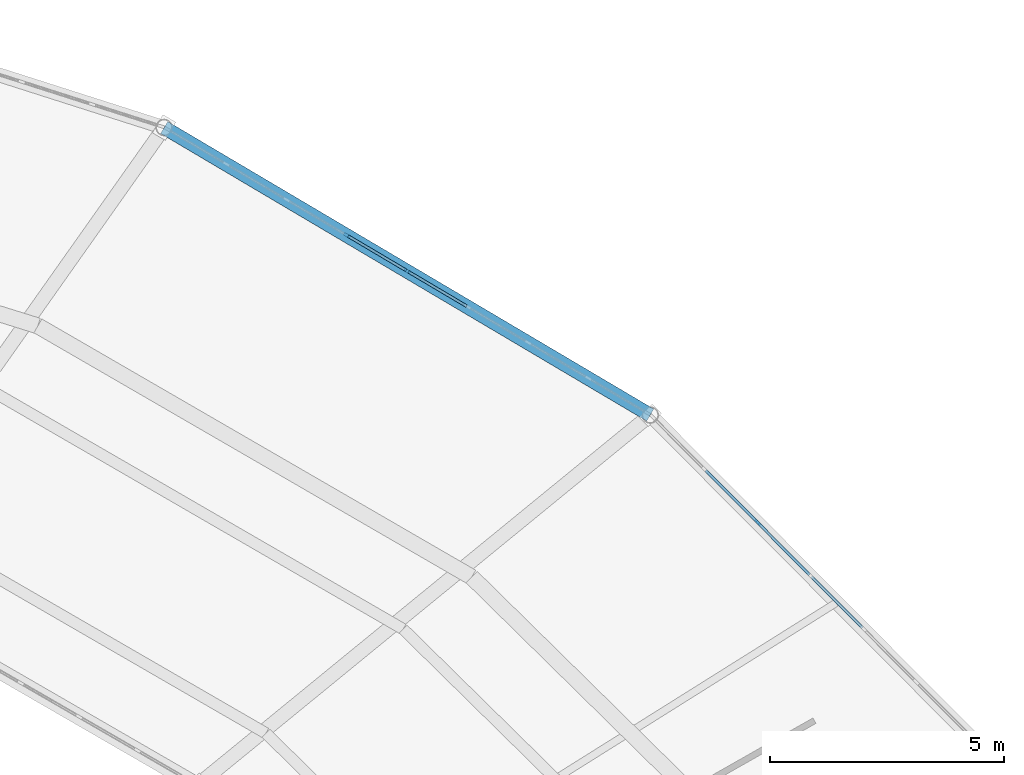
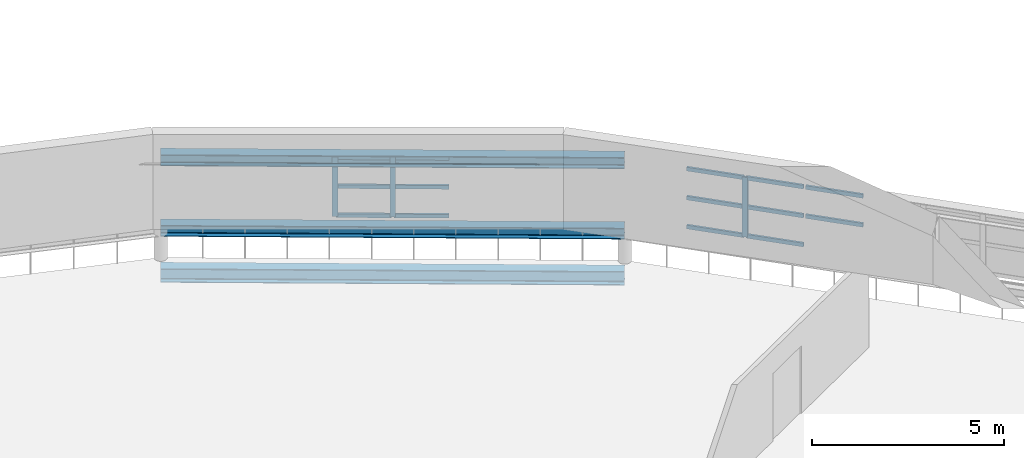
# One storey, part 69 of 123: 17 members, 3 beams, 2 elements without a shape of their own.
"""IFC4 building model written with IfcOpenShell, lengths in metres."""

from ifc_helpers import new_model, si_unit, direction, frame, origin, origin_2d, place, context, subcontext, project, spatial, rectangle, i_section, extrude, material, material_profile, profile_set, type_object, element, aggregate, save


model = new_model("IFC4")

# Units and contexts
model_context = context("Model", 3, precision=1e-05, world=origin(), true_north=direction((0.0, 1.0)))
body_context = subcontext(model_context, "Body", "Model", "MODEL_VIEW")
ifc_project = project(units=[si_unit("LENGTHUNIT", "METRE"), si_unit("AREAUNIT", "SQUARE_METRE"), si_unit("VOLUMEUNIT", "CUBIC_METRE"), si_unit("PLANEANGLEUNIT", "RADIAN"), si_unit("MASSUNIT", "GRAM", prefix="KILO")], contexts=[model_context])

# Site, building, storey
site_placement = place(None, origin())
site = spatial("IfcSite", under=ifc_project, at=site_placement, CompositionType="ELEMENT")
building_placement = place(site_placement, origin())
building = spatial("IfcBuilding", under=site, at=building_placement, Name="Kildeholm Park Wholesale Market", CompositionType="ELEMENT")
storey_placement = place(building_placement, frame((0.0, 0.0, 9.60009765625)))
storey = spatial("IfcBuildingStorey", under=building, at=storey_placement, Name="L02", CompositionType="ELEMENT", Elevation=9.60009765625)

# Beams
ifc_material_1 = material(Name="Steel S355", Category="steel")
ifc_material_profile_1 = material_profile(ifc_material_1, i_section(OverallWidth=0.300048828125, OverallDepth=0.35009765625, WebThickness=0.010009765625, FlangeThickness=0.017578125, FilletRadius=0.027099609375, at=origin_2d()), Name="HEA 360")
ifc_profile_set_1 = profile_set([ifc_material_profile_1], Name="Steel S355")
beam_type_1 = type_object("IfcBeamType", Name="Beam B-R01 HEA 360", PredefinedType="BEAM", material=ifc_profile_set_1)
beam_1_placement = place(storey_placement, frame((134.4970703125, 116.864990234375, 0.946044921875), z_axis=(-0.860700316594, 0.509111937609, 0.0), x_axis=(-0.509111937609, -0.860700316594, 0.0)))
element("IfcBeam", 1, at=beam_1_placement, inside=storey, type_object=beam_type_1, Name="Beam BM-V1-S1IN-03 BM-0239", PredefinedType="BEAM", context=body_context, shape_type="SweptSolid", body=[
    extrude(i_section(OverallWidth=0.300048828125, OverallDepth=0.35009765625, WebThickness=0.010009765625, FlangeThickness=0.017578125, FilletRadius=0.027099609375, at=origin_2d()), origin(), (0.0, 0.0, 1.0), 12.07958984375),
])
ifc_material_profile_2 = material_profile(ifc_material_1, i_section(OverallWidth=0.300048828125, OverallDepth=0.43994140625, WebThickness=0.011474609375, FlangeThickness=0.02099609375, FilletRadius=0.027099609375, at=origin_2d()), Name="HEA 450")
ifc_profile_set_2 = profile_set([ifc_material_profile_2], Name="Steel S355")
beam_type_2 = type_object("IfcBeamType", Name="Beam B-R02 HEA 450", PredefinedType="BEAM", material=ifc_profile_set_2)
beam_2_placement = place(storey_placement, frame((134.4970703125, 116.864990234375, -0.47412109375), z_axis=(-0.860700316594, 0.509111937609, 0.0), x_axis=(-0.509111937609, -0.860700316594, 0.0)))
element("IfcBeam", 2, at=beam_2_placement, inside=storey, type_object=beam_type_2, Name="Beam BM-V1-L02-CM-03 BM-0035", PredefinedType="BEAM", context=body_context, shape_type="SweptSolid", body=[
    extrude(i_section(OverallWidth=0.300048828125, OverallDepth=0.43994140625, WebThickness=0.011474609375, FlangeThickness=0.02099609375, FilletRadius=0.027099609375, at=origin_2d()), origin(), (0.0, 0.0, 1.0), 12.07958984375),
])
ifc_material_profile_3 = material_profile(ifc_material_1, i_section(OverallWidth=0.300048828125, OverallDepth=0.360107421875, WebThickness=0.012451171875, FlangeThickness=0.0224609375, FilletRadius=0.027099609375, at=origin_2d()), Name="HEB 360")
ifc_profile_set_3 = profile_set([ifc_material_profile_3], Name="Steel S355")
beam_type_3 = type_object("IfcBeamType", Name="Beam B-R03 HEB 360", PredefinedType="BEAM", material=ifc_profile_set_3)
beam_3_placement = place(storey_placement, frame((134.4970703125, 116.864990234375, 3.1884765625), z_axis=(-0.860700316594, 0.509111937609, 0.0), x_axis=(-0.509111937609, -0.860700316594, 0.0)))
element("IfcBeam", 3, at=beam_3_placement, inside=storey, type_object=beam_type_3, Name="Beam BM-V1-RF-M1-03 BM-0240", PredefinedType="BEAM", context=body_context, shape_type="SweptSolid", body=[
    extrude(i_section(OverallWidth=0.300048828125, OverallDepth=0.360107421875, WebThickness=0.012451171875, FlangeThickness=0.0224609375, FilletRadius=0.027099609375, at=origin_2d()), origin(), (0.0, 0.0, 1.0), 12.07958984375),
])

# Curtain wall, member
ifc_material_2 = material(Name="Anodised aluminium and low-E double-glazed glass", Category="aluminium")
curtain_wall_type = type_object("IfcCurtainWallType", Name="Clerestory daylight stick curtain wall CW-02", PredefinedType="NOTDEFINED", material=ifc_material_2)
curtain_wall_1_placement = place(storey_placement, origin())
curtain_wall_1 = element("IfcCurtainWall", 4, at=curtain_wall_1_placement, inside=storey, type_object=curtain_wall_type, Name="Curtain wall CW-V1-CL-02 CW-0012", PredefinedType="NOTDEFINED")
ifc_material_3 = material(Name="Anodised aluminium", Category="aluminium")
ifc_material_profile_4 = material_profile(ifc_material_3, rectangle(XDim=0.06005859375, YDim=0.14990234375, at=origin_2d()), Name="CWM 60x150")
ifc_profile_set_4 = profile_set([ifc_material_profile_4], Name="Anodised aluminium")
member_type_1 = type_object("IfcMemberType", Name="Curtain-wall mullion CWM-3 CWM 60x150", PredefinedType="MULLION", material=ifc_profile_set_4)
member_1_placement = place(storey_placement, frame((136.793212890625, 114.56591796875, 1.349853515625), z_axis=(0.0, 0.0, 1.0), x_axis=(-0.708796820959, -0.705412692399, 0.0)))
member_1 = element("IfcMember", 5, at=member_1_placement, type_object=member_type_1, Name="CW-02 mullion 6 MEM-0686", PredefinedType="MULLION", context=body_context, shape_type="SweptSolid", body=[
    extrude(rectangle(XDim=0.06005859375, YDim=0.14990234375, at=origin_2d()), origin(), (0.0, 0.0, 1.0), 1.900146484375),
])

# Curtain wall, members
curtain_wall_2_placement = place(storey_placement, origin())
curtain_wall_2 = element("IfcCurtainWall", 6, at=curtain_wall_2_placement, inside=storey, type_object=curtain_wall_type, Name="Curtain wall CW-V1-CL-03 CW-0017", PredefinedType="NOTDEFINED")
member_2_placement = place(storey_placement, frame((129.302001953125, 119.943603515625, 1.349853515625), z_axis=(0.0, 0.0, 1.0), x_axis=(-0.509105492275, -0.860704129033, 0.0)))
member_2 = element("IfcMember", 7, at=member_2_placement, type_object=member_type_1, Name="CW-02 mullion 5 MEM-0814", PredefinedType="MULLION", context=body_context, shape_type="SweptSolid", body=[
    extrude(rectangle(XDim=0.06005859375, YDim=0.14990234375, at=origin_2d()), origin(), (0.0, 0.0, 1.0), 1.900146484375),
])
member_3_placement = place(storey_placement, frame((128.010986328125, 120.70703125, 1.349853515625), z_axis=(0.0, 0.0, 1.0), x_axis=(-0.509105492275, -0.860704129033, 0.0)))
member_3 = element("IfcMember", 8, at=member_3_placement, type_object=member_type_1, Name="CW-02 mullion 6 MEM-0815", PredefinedType="MULLION", context=body_context, shape_type="SweptSolid", body=[
    extrude(rectangle(XDim=0.06005859375, YDim=0.14990234375, at=origin_2d()), origin(), (0.0, 0.0, 1.0), 1.900146484375),
])

# Member
ifc_material_profile_5 = material_profile(ifc_material_3, rectangle(XDim=0.06005859375, YDim=0.1201171875, at=origin_2d()), Name="CWT 60x120")
ifc_profile_set_5 = profile_set([ifc_material_profile_5], Name="Anodised aluminium")
member_type_2 = type_object("IfcMemberType", Name="Curtain-wall transom CWT-3 CWT 60x120", PredefinedType="USERDEFINED", material=ifc_profile_set_5)
member_4_placement = place(storey_placement, frame((139.03515625, 112.313232421875, 2.2998046875), z_axis=(-0.705444776486, 0.708764888612, 0.0), x_axis=(-0.708764888612, -0.705444776486, 0.0)))
member_4 = element("IfcMember", 9, at=member_4_placement, type_object=member_type_2, Name="CW-02 transom 4.2 MEM-0699", ObjectType="TRANSOM", PredefinedType="USERDEFINED", context=body_context, shape_type="SweptSolid", body=[
    extrude(rectangle(XDim=0.06005859375, YDim=0.1201171875, at=origin_2d()), origin(), (0.0, 0.0, 1.0), 1.544189453125),
])

member_5_placement = place(storey_placement, frame((139.03515625, 112.313232421875, 3.219970703125), z_axis=(-0.705444776486, 0.708764888612, 0.0), x_axis=(-0.708764888612, -0.705444776486, 0.0)))
member_5 = element("IfcMember", 10, at=member_5_placement, type_object=member_type_2, Name="CW-02 transom 4.3 MEM-0700", ObjectType="TRANSOM", PredefinedType="USERDEFINED", context=body_context, shape_type="SweptSolid", body=[
    extrude(rectangle(XDim=0.06005859375, YDim=0.1201171875, at=origin_2d()), origin(), (0.0, 0.0, 1.0), 1.544189453125),
])

member_6_placement = place(storey_placement, frame((137.903564453125, 113.4501953125, 1.3798828125), z_axis=(-0.705444776486, 0.708764888612, 0.0), x_axis=(-0.708764888612, -0.705444776486, 0.0)))
member_6 = element("IfcMember", 11, at=member_6_placement, type_object=member_type_2, Name="CW-02 transom 5.1 MEM-0701", ObjectType="TRANSOM", PredefinedType="USERDEFINED", context=body_context, shape_type="SweptSolid", body=[
    extrude(rectangle(XDim=0.06005859375, YDim=0.1201171875, at=origin_2d()), origin(), (0.0, 0.0, 1.0), 1.544189453125),
])

member_7_placement = place(storey_placement, frame((137.903564453125, 113.4501953125, 2.2998046875), z_axis=(-0.705444776486, 0.708764888612, 0.0), x_axis=(-0.708764888612, -0.705444776486, 0.0)))
member_7 = element("IfcMember", 12, at=member_7_placement, type_object=member_type_2, Name="CW-02 transom 5.2 MEM-0702", ObjectType="TRANSOM", PredefinedType="USERDEFINED", context=body_context, shape_type="SweptSolid", body=[
    extrude(rectangle(XDim=0.06005859375, YDim=0.1201171875, at=origin_2d()), origin(), (0.0, 0.0, 1.0), 1.544189453125),
])

member_8_placement = place(storey_placement, frame((137.903564453125, 113.4501953125, 3.219970703125), z_axis=(-0.705444776486, 0.708764888612, 0.0), x_axis=(-0.708764888612, -0.705444776486, 0.0)))
member_8 = element("IfcMember", 13, at=member_8_placement, type_object=member_type_2, Name="CW-02 transom 5.3 MEM-0703", ObjectType="TRANSOM", PredefinedType="USERDEFINED", context=body_context, shape_type="SweptSolid", body=[
    extrude(rectangle(XDim=0.06005859375, YDim=0.1201171875, at=origin_2d()), origin(), (0.0, 0.0, 1.0), 1.544189453125),
])

member_9_placement = place(storey_placement, frame((136.77197265625, 114.587158203125, 1.3798828125), z_axis=(-0.705444776486, 0.708764888612, 0.0), x_axis=(-0.708764888612, -0.705444776486, 0.0)))
member_9 = element("IfcMember", 14, at=member_9_placement, type_object=member_type_2, Name="CW-02 transom 6.1 MEM-0704", ObjectType="TRANSOM", PredefinedType="USERDEFINED", context=body_context, shape_type="SweptSolid", body=[
    extrude(rectangle(XDim=0.06005859375, YDim=0.1201171875, at=origin_2d()), origin(), (0.0, 0.0, 1.0), 1.544189453125),
])

member_10_placement = place(storey_placement, frame((136.77197265625, 114.587158203125, 2.2998046875), z_axis=(-0.705444776486, 0.708764888612, 0.0), x_axis=(-0.708764888612, -0.705444776486, 0.0)))
member_10 = element("IfcMember", 15, at=member_10_placement, type_object=member_type_2, Name="CW-02 transom 6.2 MEM-0705", ObjectType="TRANSOM", PredefinedType="USERDEFINED", context=body_context, shape_type="SweptSolid", body=[
    extrude(rectangle(XDim=0.06005859375, YDim=0.1201171875, at=origin_2d()), origin(), (0.0, 0.0, 1.0), 1.544189453125),
])

member_11_placement = place(storey_placement, frame((136.77197265625, 114.587158203125, 3.219970703125), z_axis=(-0.705444776486, 0.708764888612, 0.0), x_axis=(-0.708764888612, -0.705444776486, 0.0)))
member_11 = element("IfcMember", 16, at=member_11_placement, type_object=member_type_2, Name="CW-02 transom 6.3 MEM-0706", ObjectType="TRANSOM", PredefinedType="USERDEFINED", context=body_context, shape_type="SweptSolid", body=[
    extrude(rectangle(XDim=0.06005859375, YDim=0.1201171875, at=origin_2d()), origin(), (0.0, 0.0, 1.0), 1.544189453125),
])

aggregate(curtain_wall_1, [member_1, member_4, member_5, member_6, member_7, member_8, member_9, member_10, member_11])

member_12_placement = place(storey_placement, frame((130.567138671875, 119.195068359375, 1.3798828125), z_axis=(-0.860663121706, 0.509174813728, 0.0), x_axis=(-0.509174813728, -0.860663121706, 0.0)))
member_12 = element("IfcMember", 17, at=member_12_placement, type_object=member_type_2, Name="CW-02 transom 4.1 MEM-0828", ObjectType="TRANSOM", PredefinedType="USERDEFINED", context=body_context, shape_type="SweptSolid", body=[
    extrude(rectangle(XDim=0.06005859375, YDim=0.1201171875, at=origin_2d()), origin(), (0.0, 0.0, 1.0), 1.43994140625),
])

member_13_placement = place(storey_placement, frame((130.567138671875, 119.195068359375, 2.2998046875), z_axis=(-0.860663121706, 0.509174813728, 0.0), x_axis=(-0.509174813728, -0.860663121706, 0.0)))
member_13 = element("IfcMember", 18, at=member_13_placement, type_object=member_type_2, Name="CW-02 transom 4.2 MEM-0829", ObjectType="TRANSOM", PredefinedType="USERDEFINED", context=body_context, shape_type="SweptSolid", body=[
    extrude(rectangle(XDim=0.06005859375, YDim=0.1201171875, at=origin_2d()), origin(), (0.0, 0.0, 1.0), 1.43994140625),
])

member_14_placement = place(storey_placement, frame((130.567138671875, 119.195068359375, 3.219970703125), z_axis=(-0.860663121706, 0.509174813728, 0.0), x_axis=(-0.509174813728, -0.860663121706, 0.0)))
member_14 = element("IfcMember", 19, at=member_14_placement, type_object=member_type_2, Name="CW-02 transom 4.3 MEM-0830", ObjectType="TRANSOM", PredefinedType="USERDEFINED", context=body_context, shape_type="SweptSolid", body=[
    extrude(rectangle(XDim=0.06005859375, YDim=0.1201171875, at=origin_2d()), origin(), (0.0, 0.0, 1.0), 1.43994140625),
])

member_15_placement = place(storey_placement, frame((129.276123046875, 119.958740234375, 1.3798828125), z_axis=(-0.860663121706, 0.509174813728, 0.0), x_axis=(-0.509174813728, -0.860663121706, 0.0)))
member_15 = element("IfcMember", 20, at=member_15_placement, type_object=member_type_2, Name="CW-02 transom 5.1 MEM-0831", ObjectType="TRANSOM", PredefinedType="USERDEFINED", context=body_context, shape_type="SweptSolid", body=[
    extrude(rectangle(XDim=0.06005859375, YDim=0.1201171875, at=origin_2d()), origin(), (0.0, 0.0, 1.0), 1.43994140625),
])

member_16_placement = place(storey_placement, frame((129.276123046875, 119.958740234375, 2.2998046875), z_axis=(-0.860663121706, 0.509174813728, 0.0), x_axis=(-0.509174813728, -0.860663121706, 0.0)))
member_16 = element("IfcMember", 21, at=member_16_placement, type_object=member_type_2, Name="CW-02 transom 5.2 MEM-0832", ObjectType="TRANSOM", PredefinedType="USERDEFINED", context=body_context, shape_type="SweptSolid", body=[
    extrude(rectangle(XDim=0.06005859375, YDim=0.1201171875, at=origin_2d()), origin(), (0.0, 0.0, 1.0), 1.43994140625),
])

member_17_placement = place(storey_placement, frame((129.276123046875, 119.958740234375, 3.219970703125), z_axis=(-0.860663121706, 0.509174813728, 0.0), x_axis=(-0.509174813728, -0.860663121706, 0.0)))
member_17 = element("IfcMember", 22, at=member_17_placement, type_object=member_type_2, Name="CW-02 transom 5.3 MEM-0833", ObjectType="TRANSOM", PredefinedType="USERDEFINED", context=body_context, shape_type="SweptSolid", body=[
    extrude(rectangle(XDim=0.06005859375, YDim=0.1201171875, at=origin_2d()), origin(), (0.0, 0.0, 1.0), 1.43994140625),
])

aggregate(curtain_wall_2, [member_2, member_3, member_12, member_13, member_14, member_15, member_16, member_17])

save(model, "model.ifc")
